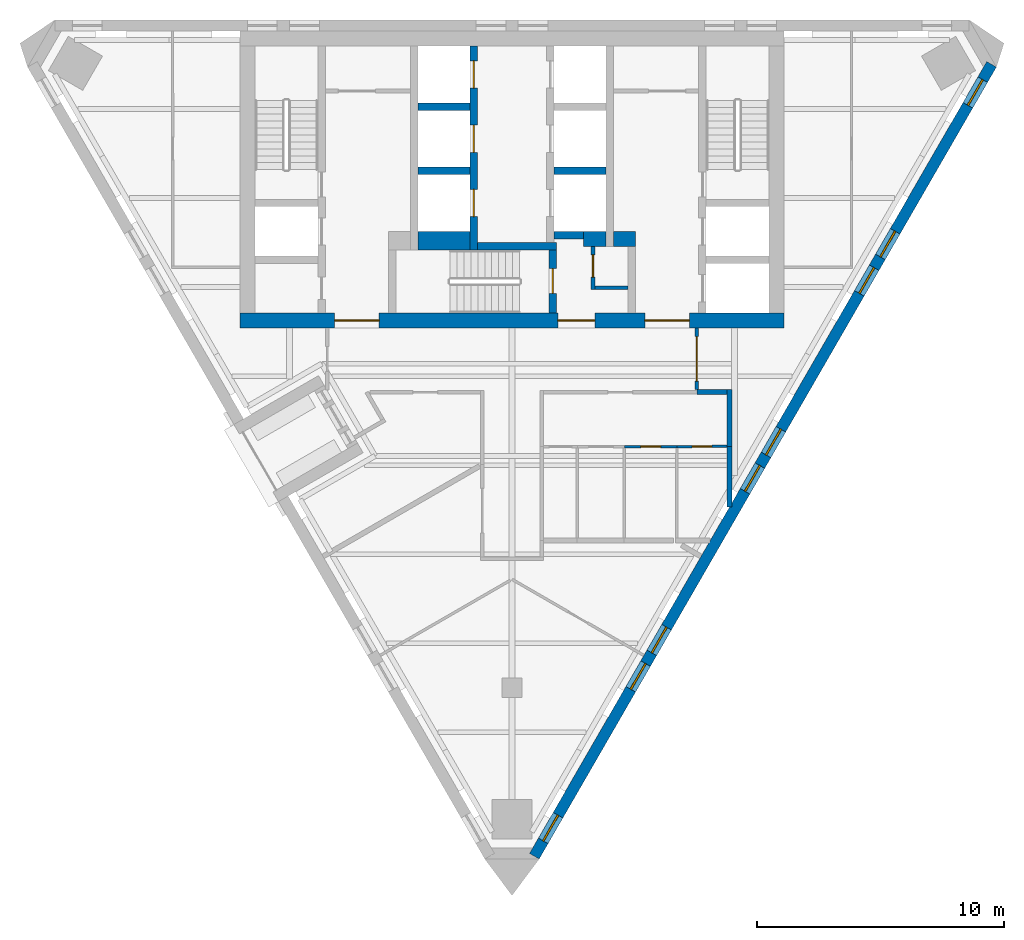
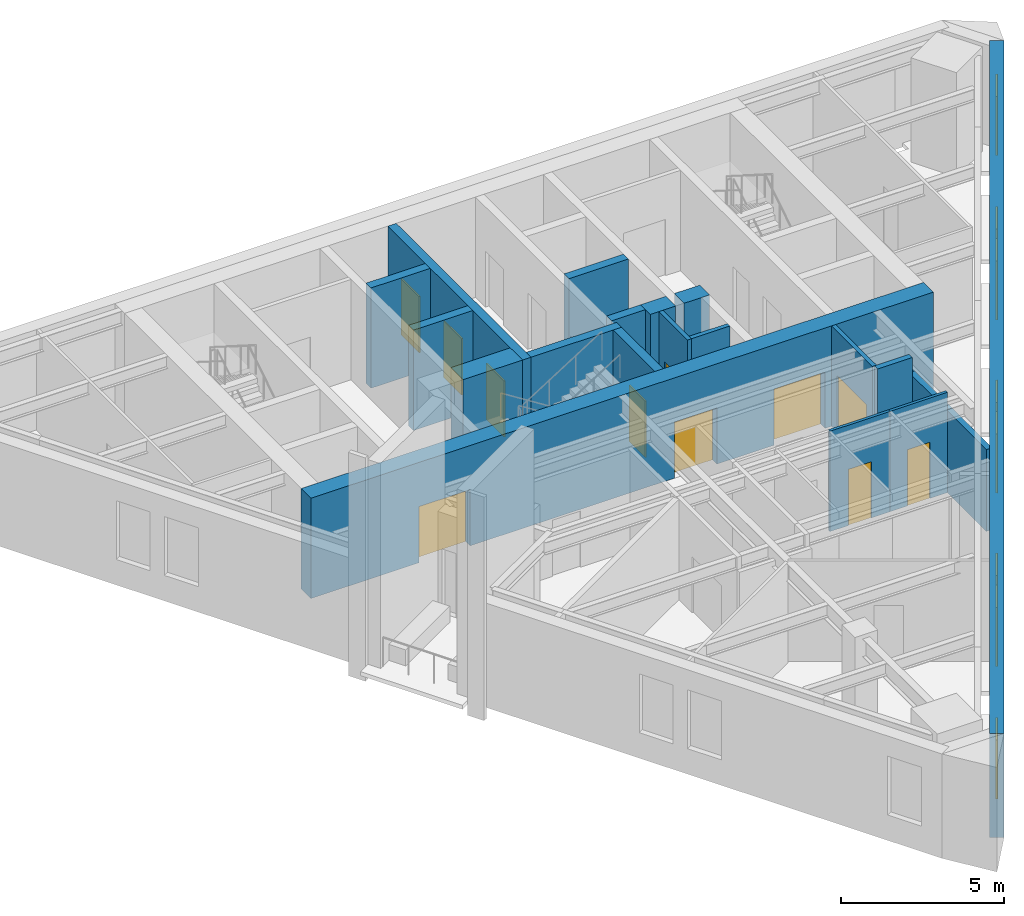
# One storey, part 4 of 7: 20 walls, 11 doors, 8 windows, 19 openings.
"""IFC4 building model written with IfcOpenShell, lengths in metres."""

from ifc_helpers import new_model, si_unit, direction, frame, frame_2d, origin, place, context, subcontext, project, spatial, polyline, rectangle, outline, extrude, material, layer, layer_set, type_object, element, fill, save


model = new_model("IFC4")

# Units and contexts
model_context = context("Model", 3, precision=1e-05, world=origin(), true_north=direction((0.0, 1.0)))
body_context = subcontext(model_context, "Body", "Model", "MODEL_VIEW")
ifc_project = project(units=[si_unit("LENGTHUNIT", "METRE"), si_unit("AREAUNIT", "SQUARE_METRE"), si_unit("VOLUMEUNIT", "CUBIC_METRE"), si_unit("PLANEANGLEUNIT", "RADIAN"), si_unit("MASSUNIT", "GRAM", prefix="KILO")], contexts=[model_context])

# Site, building, storey
site_placement = place(None, origin())
site = spatial("IfcSite", under=ifc_project, at=site_placement, CompositionType="ELEMENT")
building_placement = place(site_placement, origin())
building = spatial("IfcBuilding", under=site, at=building_placement, Name="Aloe Facet Convention Tower", CompositionType="ELEMENT")
storey_placement = place(building_placement, frame((0.0, 0.0, 258.199951171875)))
storey = spatial("IfcBuildingStorey", under=building, at=storey_placement, Name="L63", CompositionType="ELEMENT", Elevation=258.199951171875)

# Wall, opening, door
ifc_material_1 = material(Name="Concrete blockwork partition", Category="masonry")
ifc_layer_1 = layer(ifc_material_1, 0.14990234375)
ifc_layer_set_1 = layer_set([ifc_layer_1], Name="CR-W-PART150")
wall_type_1 = type_object("IfcWallType", Name="CR-W-PART150", PredefinedType="PARTITIONING", material=ifc_layer_set_1)
wall_1_placement = place(storey_placement, frame((83.27490234375, 125.85009765625, 0.0), z_axis=(0.0, 0.0, 1.0), x_axis=(0.0, -1.0, 0.0)))
wall_1 = element("IfcWall", 1, at=wall_1_placement, inside=storey, type_object=wall_type_1, Name="Core partition L63-022", PredefinedType="PARTITIONING", context=body_context, shape_type="SweptSolid", body=[
    extrude(rectangle(XDim=1.75, YDim=0.14990234375, at=frame_2d((0.875, 0.0))), origin(), (0.0, 0.0, 1.0), 3.75),
])
opening_1_placement = place(wall_1_placement, frame((0.35009765625, 0.0, 0.0)))
opening_1 = element("IfcOpeningElement", 2, at=opening_1_placement, cuts=wall_1, Name="Opening L63-CD12", PredefinedType="OPENING", context=body_context, shape_type="SweptSolid", body=[
    extrude(rectangle(XDim=0.89990234375, YDim=2.10009765625, at=frame_2d((0.449951171875, 1.050048828125))), frame((0.0, 0.0849609375, 0.0), z_axis=(0.0, -1.0, 0.0), x_axis=(1.0, 0.0, 0.0)), (0.0, 0.0, 1.0), 0.169921875),
])
ifc_material_2 = material(Name="Steel fire-resisting door set FD60", Category="steel")
door_type_1 = type_object("IfcDoorType", Name="CR-D-REFUGE-900-FD60-SRIGHT", OperationType="SINGLE_SWING_RIGHT", PredefinedType="DOOR", material=ifc_material_2)
door_1_placement = place(opening_1_placement, origin())
door_1 = element("IfcDoor", 3, at=door_1_placement, inside=storey, type_object=door_type_1, Name="Core door L63-CD12", OperationType="SINGLE_SWING_RIGHT", OverallHeight=2.10009765625, OverallWidth=0.89990234375, PredefinedType="DOOR", context=body_context, shape_type="SweptSolid", body=[
    extrude(rectangle(XDim=0.89990234375, YDim=2.10009765625, at=frame_2d((0.449951171875, 1.050048828125))), frame((0.0, 0.02490234375, 0.0), z_axis=(0.0, -1.0, 0.0), x_axis=(1.0, 0.0, 0.0)), (0.0, 0.0, 1.0), 0.050048828125),
])
fill(opening_1, door_1)

# Walls
wall_2_placement = place(storey_placement, frame((83.35009765625, 124.175048828125, 0.0), z_axis=(0.0, 0.0, 1.0), x_axis=(1.0, 0.0, 0.0)))
element("IfcWall", 4, at=wall_2_placement, inside=storey, type_object=wall_type_1, Name="Core partition L63-023", PredefinedType="PARTITIONING", context=body_context, shape_type="SweptSolid", body=[
    extrude(rectangle(XDim=1.349853515625, YDim=0.14990234375, at=frame_2d((0.6748046875, 0.0))), origin(), (0.0, 0.0, 1.0), 3.75),
])
ifc_material_3 = material(Name="Concrete C50/60", Category="concrete")
ifc_layer_2 = layer(ifc_material_3, 0.300048828125)
ifc_layer_set_2 = layer_set([ifc_layer_2], Name="CR-W-RC300-C5060")
wall_type_2 = type_object("IfcWallType", Name="CR-W-RC300-C5060", PredefinedType="SOLIDWALL", material=ifc_layer_set_2)
for number, where, z_axis, x_axis, name in (
    (5, (76.199951171875, 131.5, 0.0), (0.0, 0.0, 1.0), (1.0, 0.0, 0.0), "Core wall L63-011"),
    (6, (76.199951171875, 128.89990234375, 0.0), (0.0, 0.0, 1.0), (1.0, 0.0, 0.0), "Core wall L63-012"),
):
    element("IfcWall", number, at=place(storey_placement, frame(where, z_axis=z_axis, x_axis=x_axis)), inside=storey, type_object=wall_type_2, Name=name, PredefinedType="SOLIDWALL", context=body_context, shape_type="SweptSolid", body=[
        extrude(rectangle(XDim=2.10009765625, YDim=0.300048828125, at=frame_2d((1.050048828125, 0.0))), origin(), (0.0, 0.0, 1.0), 3.75),
    ])

# Wall, openings, doors
wall_3_placement = place(storey_placement, frame((78.449951171875, 133.949951171875, 0.0), z_axis=(0.0, 0.0, 1.0), x_axis=(0.0, -1.0, 0.0)))
wall_3 = element("IfcWall", 7, at=wall_3_placement, inside=storey, type_object=wall_type_2, Name="Core wall L63-014", PredefinedType="SOLIDWALL", context=body_context, shape_type="SweptSolid", body=[
    extrude(rectangle(XDim=8.25, YDim=0.300048828125, at=frame_2d((4.125, 0.0))), origin(), (0.0, 0.0, 1.0), 3.75),
])
opening_2_placement = place(wall_3_placement, frame((0.60009765625, 0.0, 0.0)))
opening_2 = element("IfcOpeningElement", 8, at=opening_2_placement, cuts=wall_3, Name="Opening LD-B1-L63", PredefinedType="OPENING", context=body_context, shape_type="SweptSolid", body=[
    extrude(rectangle(XDim=1.10009765625, YDim=2.10009765625, at=frame_2d((0.550048828125, 1.050048828125))), frame((0.0, 0.16015625, 0.0), z_axis=(0.0, -1.0, 0.0), x_axis=(1.0, 0.0, 0.0)), (0.0, 0.0, 1.0), 0.320068359375),
])
opening_3_placement = place(wall_3_placement, frame((3.199951171875, 0.0, 0.0)))
opening_3 = element("IfcOpeningElement", 9, at=opening_3_placement, cuts=wall_3, Name="Opening LD-B2-L63", PredefinedType="OPENING", context=body_context, shape_type="SweptSolid", body=[
    extrude(rectangle(XDim=1.10009765625, YDim=2.10009765625, at=frame_2d((0.550048828125, 1.050048828125))), frame((0.0, 0.16015625, 0.0), z_axis=(0.0, -1.0, 0.0), x_axis=(1.0, 0.0, 0.0)), (0.0, 0.0, 1.0), 0.320068359375),
])
opening_4_placement = place(wall_3_placement, frame((5.800048828125, 0.0, 0.0)))
opening_4 = element("IfcOpeningElement", 10, at=opening_4_placement, cuts=wall_3, Name="Opening LD-B3-L63", PredefinedType="OPENING", context=body_context, shape_type="SweptSolid", body=[
    extrude(rectangle(XDim=1.10009765625, YDim=2.10009765625, at=frame_2d((0.550048828125, 1.050048828125))), frame((0.0, 0.16015625, 0.0), z_axis=(0.0, -1.0, 0.0), x_axis=(1.0, 0.0, 0.0)), (0.0, 0.0, 1.0), 0.320068359375),
])
ifc_material_4 = material(Name="Stainless steel sliding landing door", Category="steel")
door_type_2 = type_object("IfcDoorType", Name="CR-LD-1100-FD60-RIGHT", OperationType="SLIDING_TO_RIGHT", PredefinedType="DOOR", material=ifc_material_4)
door_2_placement = place(opening_2_placement, origin())
door_2 = element("IfcDoor", 11, at=door_2_placement, inside=storey, type_object=door_type_2, Name="Landing door B1 L63", OperationType="SLIDING_TO_RIGHT", OverallHeight=2.10009765625, OverallWidth=1.10009765625, PredefinedType="DOOR", context=body_context, shape_type="SweptSolid", body=[
    extrude(rectangle(XDim=1.10009765625, YDim=2.10009765625, at=frame_2d((0.550048828125, 1.050048828125))), frame((0.0, 0.02490234375, 0.0), z_axis=(0.0, -1.0, 0.0), x_axis=(1.0, 0.0, 0.0)), (0.0, 0.0, 1.0), 0.050048828125),
])
fill(opening_2, door_2)
door_3_placement = place(opening_3_placement, origin())
door_3 = element("IfcDoor", 12, at=door_3_placement, inside=storey, type_object=door_type_2, Name="Landing door B2 L63", OperationType="SLIDING_TO_RIGHT", OverallHeight=2.10009765625, OverallWidth=1.10009765625, PredefinedType="DOOR", context=body_context, shape_type="SweptSolid", body=[
    extrude(rectangle(XDim=1.10009765625, YDim=2.10009765625, at=frame_2d((0.550048828125, 1.050048828125))), frame((0.0, 0.02490234375, 0.0), z_axis=(0.0, -1.0, 0.0), x_axis=(1.0, 0.0, 0.0)), (0.0, 0.0, 1.0), 0.050048828125),
])
fill(opening_3, door_3)
door_4_placement = place(opening_4_placement, origin())
door_4 = element("IfcDoor", 13, at=door_4_placement, inside=storey, type_object=door_type_2, Name="Landing door B3 L63", OperationType="SLIDING_TO_RIGHT", OverallHeight=2.10009765625, OverallWidth=1.10009765625, PredefinedType="DOOR", context=body_context, shape_type="SweptSolid", body=[
    extrude(rectangle(XDim=1.10009765625, YDim=2.10009765625, at=frame_2d((0.550048828125, 1.050048828125))), frame((0.0, 0.02490234375, 0.0), z_axis=(0.0, -1.0, 0.0), x_axis=(1.0, 0.0, 0.0)), (0.0, 0.0, 1.0), 0.050048828125),
])
fill(opening_4, door_4)

# Wall
wall_4_placement = place(storey_placement, frame((78.60009765625, 125.85009765625, 0.0), z_axis=(0.0, 0.0, 1.0), x_axis=(1.0, 0.0, 0.0)))
element("IfcWall", 14, at=wall_4_placement, inside=storey, type_object=wall_type_2, Name="Core wall L63-015", PredefinedType="SOLIDWALL", context=body_context, shape_type="SweptSolid", body=[
    extrude(rectangle(XDim=3.199951171875, YDim=0.300048828125, at=frame_2d((1.60009765625, 0.0))), origin(), (0.0, 0.0, 1.0), 3.75),
])

# Wall, opening, door
wall_5_placement = place(storey_placement, frame((81.64990234375, 125.699951171875, 0.0), z_axis=(0.0, 0.0, 1.0), x_axis=(0.0, -1.0, 0.0)))
wall_5 = element("IfcWall", 15, at=wall_5_placement, inside=storey, type_object=wall_type_2, Name="Core wall L63-017", PredefinedType="SOLIDWALL", context=body_context, shape_type="SweptSolid", body=[
    extrude(rectangle(XDim=2.550048828125, YDim=0.300048828125, at=frame_2d((1.27490234375, 0.0))), origin(), (0.0, 0.0, 1.0), 3.75),
])
opening_5_placement = place(wall_5_placement, frame((0.75, 0.0, 0.0)))
opening_5 = element("IfcOpeningElement", 16, at=opening_5_placement, cuts=wall_5, Name="Opening L63-CD18", PredefinedType="OPENING", context=body_context, shape_type="SweptSolid", body=[
    extrude(rectangle(XDim=1.0, YDim=2.10009765625, at=frame_2d((0.5, 1.050048828125))), frame((0.0, 0.16015625, 0.0), z_axis=(0.0, -1.0, 0.0), x_axis=(1.0, 0.0, 0.0)), (0.0, 0.0, 1.0), 0.320068359375),
])
ifc_material_5 = material(Name="Steel fire-resisting door set FD120", Category="steel")
door_type_3 = type_object("IfcDoorType", Name="CR-D-STAIR-1000-FD120-SLEFT", OperationType="SINGLE_SWING_LEFT", PredefinedType="DOOR", material=ifc_material_5)
door_5_placement = place(opening_5_placement, origin())
door_5 = element("IfcDoor", 17, at=door_5_placement, inside=storey, type_object=door_type_3, Name="Core door L63-CD18", OperationType="SINGLE_SWING_LEFT", OverallHeight=2.10009765625, OverallWidth=1.0, PredefinedType="DOOR", context=body_context, shape_type="SweptSolid", body=[
    extrude(rectangle(XDim=1.0, YDim=2.10009765625, at=frame_2d((0.5, 1.050048828125))), frame((0.0, 0.02490234375, 0.0), z_axis=(0.0, -1.0, 0.0), x_axis=(1.0, 0.0, 0.0)), (0.0, 0.0, 1.0), 0.050048828125),
])
fill(opening_5, door_5)

# Walls
wall_6_placement = place(storey_placement, frame((81.699951171875, 128.89990234375, 0.0), z_axis=(0.0, 0.0, 1.0), x_axis=(1.0, 0.0, 0.0)))
element("IfcWall", 18, at=wall_6_placement, inside=storey, type_object=wall_type_2, Name="Core wall L63-019", PredefinedType="SOLIDWALL", context=body_context, shape_type="SweptSolid", body=[
    extrude(rectangle(XDim=2.10009765625, YDim=0.300048828125, at=frame_2d((1.050048828125, 0.0))), origin(), (0.0, 0.0, 1.0), 3.75),
])
wall_7_placement = place(storey_placement, frame((81.699951171875, 126.300048828125, 0.0), z_axis=(0.0, 0.0, 1.0), x_axis=(1.0, 0.0, 0.0)))
element("IfcWall", 19, at=wall_7_placement, inside=storey, type_object=wall_type_2, Name="Core wall L63-020", PredefinedType="SOLIDWALL", context=body_context, shape_type="SweptSolid", body=[
    extrude(rectangle(XDim=1.199951171875, YDim=0.300048828125, at=frame_2d((0.60009765625, 0.0))), origin(), (0.0, 0.0, 1.0), 3.75),
])

# Wall, openings, doors
ifc_material_6 = material(Name="Concrete C50/60", Category="concrete")
ifc_layer_3 = layer(ifc_material_6, 0.60009765625)
ifc_layer_set_3 = layer_set([ifc_layer_3], Name="CR-W-RC600-C5060")
wall_type_3 = type_object("IfcWallType", Name="CR-W-RC600-C5060", PredefinedType="SOLIDWALL", material=ifc_layer_set_3)
wall_8_placement = place(storey_placement, frame((69.0, 122.85009765625, 0.0), z_axis=(0.0, 0.0, 1.0), x_axis=(1.0, 0.0, 0.0)))
wall_8 = element("IfcWall", 20, at=wall_8_placement, inside=storey, type_object=wall_type_3, Name="Core wall L63-003", PredefinedType="SOLIDWALL", context=body_context, shape_type="SweptSolid", body=[
    extrude(rectangle(XDim=22.0, YDim=0.60009765625, at=frame_2d((11.0, 0.0))), origin(), (0.0, 0.0, 1.0), 3.75),
])
opening_6_placement = place(wall_8_placement, frame((16.375, 0.0, 0.0)))
opening_6 = element("IfcOpeningElement", 21, at=opening_6_placement, cuts=wall_8, Name="Opening L63-CD09", PredefinedType="OPENING", context=body_context, shape_type="SweptSolid", body=[
    extrude(rectangle(XDim=1.800048828125, YDim=2.10009765625, at=frame_2d((0.89990234375, 1.050048828125))), frame((0.0, 0.31005859375, 0.0), z_axis=(0.0, -1.0, 0.0), x_axis=(1.0, 0.0, 0.0)), (0.0, 0.0, 1.0), 0.6201171875),
])
opening_7_placement = place(wall_8_placement, frame((3.824951171875, 0.0, 0.0)))
opening_7 = element("IfcOpeningElement", 22, at=opening_7_placement, cuts=wall_8, Name="Opening L63-CD10", PredefinedType="OPENING", context=body_context, shape_type="SweptSolid", body=[
    extrude(rectangle(XDim=1.800048828125, YDim=2.10009765625, at=frame_2d((0.89990234375, 1.050048828125))), frame((0.0, 0.31005859375, 0.0), z_axis=(0.0, -1.0, 0.0), x_axis=(1.0, 0.0, 0.0)), (0.0, 0.0, 1.0), 0.6201171875),
])
opening_8_placement = place(wall_8_placement, frame((12.85009765625, 0.0, 0.0)))
opening_8 = element("IfcOpeningElement", 23, at=opening_8_placement, cuts=wall_8, Name="Opening L63-CD11", PredefinedType="OPENING", context=body_context, shape_type="SweptSolid", body=[
    extrude(rectangle(XDim=1.5, YDim=2.10009765625, at=frame_2d((0.75, 1.050048828125))), frame((0.0, 0.31005859375, 0.0), z_axis=(0.0, -1.0, 0.0), x_axis=(1.0, 0.0, 0.0)), (0.0, 0.0, 1.0), 0.6201171875),
])
ifc_material_7 = material(Name="Steel fire-resisting door set FD60", Category="steel")
door_type_4 = type_object("IfcDoorType", Name="CR-D-EXIT-1500-FD60-DD", OperationType="DOUBLE_DOOR_DOUBLE_SWING", PredefinedType="DOOR", material=ifc_material_7)
door_6_placement = place(opening_8_placement, origin())
door_6 = element("IfcDoor", 24, at=door_6_placement, inside=storey, type_object=door_type_4, Name="Core door L63-CD11", OperationType="DOUBLE_DOOR_DOUBLE_SWING", OverallHeight=2.10009765625, OverallWidth=1.5, PredefinedType="DOOR", context=body_context, shape_type="SweptSolid", body=[
    extrude(rectangle(XDim=1.5, YDim=2.10009765625, at=frame_2d((0.75, 1.050048828125))), frame((0.0, 0.02490234375, 0.0), z_axis=(0.0, -1.0, 0.0), x_axis=(1.0, 0.0, 0.0)), (0.0, 0.0, 1.0), 0.050048828125),
])
fill(opening_8, door_6)
ifc_material_8 = material(Name="Steel fire-resisting door set FD120", Category="steel")
door_type_5 = type_object("IfcDoorType", Name="CR-D-EXIT-1800-FD120-DD", OperationType="DOUBLE_DOOR_DOUBLE_SWING", PredefinedType="DOOR", material=ifc_material_8)
door_7_placement = place(opening_6_placement, origin())
door_7 = element("IfcDoor", 25, at=door_7_placement, inside=storey, type_object=door_type_5, Name="Core door L63-CD09", OperationType="DOUBLE_DOOR_DOUBLE_SWING", OverallHeight=2.10009765625, OverallWidth=1.800048828125, PredefinedType="DOOR", context=body_context, shape_type="SweptSolid", body=[
    extrude(rectangle(XDim=1.800048828125, YDim=2.10009765625, at=frame_2d((0.89990234375, 1.050048828125))), frame((0.0, 0.02490234375, 0.0), z_axis=(0.0, -1.0, 0.0), x_axis=(1.0, 0.0, 0.0)), (0.0, 0.0, 1.0), 0.050048828125),
])
fill(opening_6, door_7)
door_8_placement = place(opening_7_placement, origin())
door_8 = element("IfcDoor", 26, at=door_8_placement, inside=storey, type_object=door_type_5, Name="Core door L63-CD10", OperationType="DOUBLE_DOOR_DOUBLE_SWING", OverallHeight=2.10009765625, OverallWidth=1.800048828125, PredefinedType="DOOR", context=body_context, shape_type="SweptSolid", body=[
    extrude(rectangle(XDim=1.800048828125, YDim=2.10009765625, at=frame_2d((0.89990234375, 1.050048828125))), frame((0.0, 0.02490234375, 0.0), z_axis=(0.0, -1.0, 0.0), x_axis=(1.0, 0.0, 0.0)), (0.0, 0.0, 1.0), 0.050048828125),
])
fill(opening_7, door_8)

# Walls
wall_9_placement = place(storey_placement, frame((82.89990234375, 126.14990234375, 0.0), z_axis=(0.0, 0.0, 1.0), x_axis=(1.0, 0.0, 0.0)))
element("IfcWall", 27, at=wall_9_placement, inside=storey, type_object=wall_type_3, Name="Core wall L63-021", PredefinedType="SOLIDWALL", context=body_context, shape_type="SweptSolid", body=[
    extrude(rectangle(XDim=0.900146484375, YDim=0.60009765625, at=frame_2d((0.4501953125, 0.0))), origin(), (0.0, 0.0, 1.0), 3.75),
])
wall_10_placement = place(storey_placement, frame((84.10009765625, 126.14990234375, 0.0), z_axis=(0.0, 0.0, 1.0), x_axis=(1.0, 0.0, 0.0)))
element("IfcWall", 28, at=wall_10_placement, inside=storey, type_object=wall_type_3, Name="Core wall L63-026", PredefinedType="SOLIDWALL", context=body_context, shape_type="SweptSolid", body=[
    extrude(rectangle(XDim=0.89990234375, YDim=0.60009765625, at=frame_2d((0.449951171875, 0.0))), origin(), (0.0, 0.0, 1.0), 3.75),
])
ifc_material_9 = material(Name="Concrete C50/60", Category="concrete")
ifc_layer_4 = layer(ifc_material_9, 0.75)
ifc_layer_set_4 = layer_set([ifc_layer_4], Name="CR-W-RC750-C5060")
wall_type_4 = type_object("IfcWallType", Name="CR-W-RC750-C5060", PredefinedType="SOLIDWALL", material=ifc_layer_set_4)
wall_11_placement = place(storey_placement, frame((76.199951171875, 126.074951171875, 0.0), z_axis=(0.0, 0.0, 1.0), x_axis=(1.0, 0.0, 0.0)))
element("IfcWall", 29, at=wall_11_placement, inside=storey, type_object=wall_type_4, Name="Core wall L63-013", PredefinedType="SOLIDWALL", context=body_context, shape_type="SweptSolid", body=[
    extrude(rectangle(XDim=2.10009765625, YDim=0.75, at=frame_2d((1.050048828125, 0.0))), origin(), (0.0, 0.0, 1.0), 3.75),
])

# Wall, openings, windows
ifc_material_10 = material(Name="Precast concrete C40/50", Category="concrete")
ifc_layer_5 = layer(ifc_material_10, 0.449951171875)
ifc_layer_set_5 = layer_set([ifc_layer_5], Name="EV-WALL-STONE")
wall_type_5 = type_object("IfcWallType", Name="EV-WALL-STONE", PredefinedType="SOLIDWALL", material=ifc_layer_set_5)
wall_12_placement = place(storey_placement, frame((80.905029296875, 101.188232421875, -0.14990234375), z_axis=(0.0, 0.0, 1.0), x_axis=(0.500002536638, 0.866023939251, 0.0)))
wall_12 = element("IfcWall", 30, at=wall_12_placement, inside=storey, type_object=wall_type_5, Name="EW-L63-E01", PredefinedType="SOLIDWALL", context=body_context, shape_type="SweptSolid", body=[
    extrude(outline(polyline([(36.972412109375, 0.0), (36.972412109375, 3.89990234375), (0.0, 3.89990234375), (0.0, 0.0), (36.972412109375, 0.0)])), frame((0.0, 0.22509765625, 0.0), z_axis=(0.0, -1.0, 0.0), x_axis=(1.0, 0.0, 0.0)), (0.0, 0.0, 1.0), 0.449951171875),
])
opening_9_placement = place(wall_12_placement, frame((0.714599609375, 0.0, 0.949951171875)))
opening_9 = element("IfcOpeningElement", 31, at=opening_9_placement, cuts=wall_12, Name="Opening W-L63-E01", PredefinedType="OPENING", context=body_context, shape_type="SweptSolid", body=[
    extrude(rectangle(XDim=1.199951171875, YDim=2.199951171875, at=frame_2d((0.60009765625, 1.10009765625))), frame((0.0, 0.23486328125, 0.0), z_axis=(0.0, -1.0, 0.0), x_axis=(1.0, 0.0, 0.0)), (0.0, 0.0, 1.0), 0.469970703125),
])
opening_10_placement = place(wall_12_placement, frame((7.79296875, 0.0, 0.949951171875)))
opening_10 = element("IfcOpeningElement", 32, at=opening_10_placement, cuts=wall_12, Name="Opening W-L63-E02", PredefinedType="OPENING", context=body_context, shape_type="SweptSolid", body=[
    extrude(rectangle(XDim=1.199951171875, YDim=2.199951171875, at=frame_2d((0.60009765625, 1.10009765625))), frame((0.0, 0.23486328125, 0.0), z_axis=(0.0, -1.0, 0.0), x_axis=(1.0, 0.0, 0.0)), (0.0, 0.0, 1.0), 0.469970703125),
])
opening_11_placement = place(wall_12_placement, frame((9.4931640625, 0.0, 0.949951171875)))
opening_11 = element("IfcOpeningElement", 33, at=opening_11_placement, cuts=wall_12, Name="Opening W-L63-E03", PredefinedType="OPENING", context=body_context, shape_type="SweptSolid", body=[
    extrude(rectangle(XDim=1.199951171875, YDim=2.199951171875, at=frame_2d((0.60009765625, 1.10009765625))), frame((0.0, 0.23486328125, 0.0), z_axis=(0.0, -1.0, 0.0), x_axis=(1.0, 0.0, 0.0)), (0.0, 0.0, 1.0), 0.469970703125),
])
opening_12_placement = place(wall_12_placement, frame((17.0361328125, 0.0, 0.949951171875)))
opening_12 = element("IfcOpeningElement", 34, at=opening_12_placement, cuts=wall_12, Name="Opening W-L63-E04", PredefinedType="OPENING", context=body_context, shape_type="SweptSolid", body=[
    extrude(rectangle(XDim=1.199951171875, YDim=2.199951171875, at=frame_2d((0.60009765625, 1.10009765625))), frame((0.0, 0.23486328125, 0.0), z_axis=(0.0, -1.0, 0.0), x_axis=(1.0, 0.0, 0.0)), (0.0, 0.0, 1.0), 0.469970703125),
])
opening_13_placement = place(wall_12_placement, frame((18.736083984375, 0.0, 0.949951171875)))
opening_13 = element("IfcOpeningElement", 35, at=opening_13_placement, cuts=wall_12, Name="Opening W-L63-E05", PredefinedType="OPENING", context=body_context, shape_type="SweptSolid", body=[
    extrude(rectangle(XDim=1.199951171875, YDim=2.199951171875, at=frame_2d((0.60009765625, 1.10009765625))), frame((0.0, 0.23486328125, 0.0), z_axis=(0.0, -1.0, 0.0), x_axis=(1.0, 0.0, 0.0)), (0.0, 0.0, 1.0), 0.469970703125),
])
opening_14_placement = place(wall_12_placement, frame((26.279296875, 0.0, 0.949951171875)))
opening_14 = element("IfcOpeningElement", 36, at=opening_14_placement, cuts=wall_12, Name="Opening W-L63-E06", PredefinedType="OPENING", context=body_context, shape_type="SweptSolid", body=[
    extrude(rectangle(XDim=1.199951171875, YDim=2.199951171875, at=frame_2d((0.60009765625, 1.10009765625))), frame((0.0, 0.23486328125, 0.0), z_axis=(0.0, -1.0, 0.0), x_axis=(1.0, 0.0, 0.0)), (0.0, 0.0, 1.0), 0.469970703125),
])
opening_15_placement = place(wall_12_placement, frame((27.979248046875, 0.0, 0.949951171875)))
opening_15 = element("IfcOpeningElement", 37, at=opening_15_placement, cuts=wall_12, Name="Opening W-L63-E07", PredefinedType="OPENING", context=body_context, shape_type="SweptSolid", body=[
    extrude(rectangle(XDim=1.199951171875, YDim=2.199951171875, at=frame_2d((0.60009765625, 1.10009765625))), frame((0.0, 0.23486328125, 0.0), z_axis=(0.0, -1.0, 0.0), x_axis=(1.0, 0.0, 0.0)), (0.0, 0.0, 1.0), 0.469970703125),
])
opening_16_placement = place(wall_12_placement, frame((35.0576171875, 0.0, 0.949951171875)))
opening_16 = element("IfcOpeningElement", 38, at=opening_16_placement, cuts=wall_12, Name="Opening W-L63-E08", PredefinedType="OPENING", context=body_context, shape_type="SweptSolid", body=[
    extrude(rectangle(XDim=1.199951171875, YDim=2.199951171875, at=frame_2d((0.60009765625, 1.10009765625))), frame((0.0, 0.23486328125, 0.0), z_axis=(0.0, -1.0, 0.0), x_axis=(1.0, 0.0, 0.0)), (0.0, 0.0, 1.0), 0.469970703125),
])
ifc_material_11 = material(Name="Aluminium frame, clear double glazing", Category="aluminium")
window_type = type_object("IfcWindowType", Name="EV-WIN-O12", PartitioningType="SINGLE_PANEL", PredefinedType="WINDOW", material=ifc_material_11)
window_1_placement = place(opening_9_placement, origin())
window_1 = element("IfcWindow", 39, at=window_1_placement, inside=storey, type_object=window_type, Name="W-L63-E01", OverallHeight=2.199951171875, OverallWidth=1.199951171875, PartitioningType="SINGLE_PANEL", PredefinedType="WINDOW", context=body_context, shape_type="SweptSolid", body=[
    extrude(rectangle(XDim=1.199951171875, YDim=2.199951171875, at=frame_2d((0.60009765625, 1.10009765625))), frame((0.0, 0.030029296875, 0.0), z_axis=(0.0, -1.0, 0.0), x_axis=(1.0, 0.0, 0.0)), (0.0, 0.0, 1.0), 0.06005859375),
])
fill(opening_9, window_1)
window_2_placement = place(opening_10_placement, origin())
window_2 = element("IfcWindow", 40, at=window_2_placement, inside=storey, type_object=window_type, Name="W-L63-E02", OverallHeight=2.199951171875, OverallWidth=1.199951171875, PartitioningType="SINGLE_PANEL", PredefinedType="WINDOW", context=body_context, shape_type="SweptSolid", body=[
    extrude(rectangle(XDim=1.199951171875, YDim=2.199951171875, at=frame_2d((0.60009765625, 1.10009765625))), frame((0.0, 0.030029296875, 0.0), z_axis=(0.0, -1.0, 0.0), x_axis=(1.0, 0.0, 0.0)), (0.0, 0.0, 1.0), 0.06005859375),
])
fill(opening_10, window_2)
window_3_placement = place(opening_11_placement, origin())
window_3 = element("IfcWindow", 41, at=window_3_placement, inside=storey, type_object=window_type, Name="W-L63-E03", OverallHeight=2.199951171875, OverallWidth=1.199951171875, PartitioningType="SINGLE_PANEL", PredefinedType="WINDOW", context=body_context, shape_type="SweptSolid", body=[
    extrude(rectangle(XDim=1.199951171875, YDim=2.199951171875, at=frame_2d((0.60009765625, 1.10009765625))), frame((0.0, 0.030029296875, 0.0), z_axis=(0.0, -1.0, 0.0), x_axis=(1.0, 0.0, 0.0)), (0.0, 0.0, 1.0), 0.06005859375),
])
fill(opening_11, window_3)
window_4_placement = place(opening_12_placement, origin())
window_4 = element("IfcWindow", 42, at=window_4_placement, inside=storey, type_object=window_type, Name="W-L63-E04", OverallHeight=2.199951171875, OverallWidth=1.199951171875, PartitioningType="SINGLE_PANEL", PredefinedType="WINDOW", context=body_context, shape_type="SweptSolid", body=[
    extrude(rectangle(XDim=1.199951171875, YDim=2.199951171875, at=frame_2d((0.60009765625, 1.10009765625))), frame((0.0, 0.030029296875, 0.0), z_axis=(0.0, -1.0, 0.0), x_axis=(1.0, 0.0, 0.0)), (0.0, 0.0, 1.0), 0.06005859375),
])
fill(opening_12, window_4)
window_5_placement = place(opening_13_placement, origin())
window_5 = element("IfcWindow", 43, at=window_5_placement, inside=storey, type_object=window_type, Name="W-L63-E05", OverallHeight=2.199951171875, OverallWidth=1.199951171875, PartitioningType="SINGLE_PANEL", PredefinedType="WINDOW", context=body_context, shape_type="SweptSolid", body=[
    extrude(rectangle(XDim=1.199951171875, YDim=2.199951171875, at=frame_2d((0.60009765625, 1.10009765625))), frame((0.0, 0.030029296875, 0.0), z_axis=(0.0, -1.0, 0.0), x_axis=(1.0, 0.0, 0.0)), (0.0, 0.0, 1.0), 0.06005859375),
])
fill(opening_13, window_5)
window_6_placement = place(opening_14_placement, origin())
window_6 = element("IfcWindow", 44, at=window_6_placement, inside=storey, type_object=window_type, Name="W-L63-E06", OverallHeight=2.199951171875, OverallWidth=1.199951171875, PartitioningType="SINGLE_PANEL", PredefinedType="WINDOW", context=body_context, shape_type="SweptSolid", body=[
    extrude(rectangle(XDim=1.199951171875, YDim=2.199951171875, at=frame_2d((0.60009765625, 1.10009765625))), frame((0.0, 0.030029296875, 0.0), z_axis=(0.0, -1.0, 0.0), x_axis=(1.0, 0.0, 0.0)), (0.0, 0.0, 1.0), 0.06005859375),
])
fill(opening_14, window_6)
window_7_placement = place(opening_15_placement, origin())
window_7 = element("IfcWindow", 45, at=window_7_placement, inside=storey, type_object=window_type, Name="W-L63-E07", OverallHeight=2.199951171875, OverallWidth=1.199951171875, PartitioningType="SINGLE_PANEL", PredefinedType="WINDOW", context=body_context, shape_type="SweptSolid", body=[
    extrude(rectangle(XDim=1.199951171875, YDim=2.199951171875, at=frame_2d((0.60009765625, 1.10009765625))), frame((0.0, 0.030029296875, 0.0), z_axis=(0.0, -1.0, 0.0), x_axis=(1.0, 0.0, 0.0)), (0.0, 0.0, 1.0), 0.06005859375),
])
fill(opening_15, window_7)
window_8_placement = place(opening_16_placement, origin())
window_8 = element("IfcWindow", 46, at=window_8_placement, inside=storey, type_object=window_type, Name="W-L63-E08", OverallHeight=2.199951171875, OverallWidth=1.199951171875, PartitioningType="SINGLE_PANEL", PredefinedType="WINDOW", context=body_context, shape_type="SweptSolid", body=[
    extrude(rectangle(XDim=1.199951171875, YDim=2.199951171875, at=frame_2d((0.60009765625, 1.10009765625))), frame((0.0, 0.030029296875, 0.0), z_axis=(0.0, -1.0, 0.0), x_axis=(1.0, 0.0, 0.0)), (0.0, 0.0, 1.0), 0.06005859375),
])
fill(opening_16, window_8)

# Wall, opening, door
ifc_material_12 = material(Name="Gypsum board partition on steel studs", Category="steel")
ifc_layer_6 = layer(ifc_material_12, 0.14990234375)
ifc_layer_set_6 = layer_set([ifc_layer_6], Name="IN-W-CORR")
wall_type_6 = type_object("IfcWallType", Name="IN-W-CORR", PredefinedType="PARTITIONING", material=ifc_layer_set_6)
wall_13_placement = place(storey_placement, frame((87.47509765625, 120.050048828125, 0.0), z_axis=(0.0, 0.0, 1.0), x_axis=(0.0, 1.0, 0.0)))
wall_13 = element("IfcWall", 47, at=wall_13_placement, inside=storey, type_object=wall_type_6, Name="Partition L63-W029", PredefinedType="PARTITIONING", context=body_context, shape_type="SweptSolid", body=[
    extrude(rectangle(XDim=2.5, YDim=0.14990234375, at=frame_2d((1.25, 0.0))), origin(), (0.0, 0.0, 1.0), 3.75),
])
opening_17_placement = place(wall_13_placement, frame((0.35009765625, 0.0, 0.0)))
opening_17 = element("IfcOpeningElement", 48, at=opening_17_placement, cuts=wall_13, Name="Opening L63-010", PredefinedType="OPENING", context=body_context, shape_type="SweptSolid", body=[
    extrude(rectangle(XDim=1.800048828125, YDim=2.10009765625, at=frame_2d((0.89990234375, 1.050048828125))), frame((0.0, 0.0849609375, 0.0), z_axis=(0.0, -1.0, 0.0), x_axis=(1.0, 0.0, 0.0)), (0.0, 0.0, 1.0), 0.169921875),
])
ifc_material_13 = material(Name="Glazed timber door pair FD30S", Category="wood")
door_type_6 = type_object("IfcDoorType", Name="IN-OFF-D-SUITE", OperationType="DOUBLE_DOOR_SINGLE_SWING", PredefinedType="DOOR", material=ifc_material_13)
door_9_placement = place(opening_17_placement, origin())
door_9 = element("IfcDoor", 49, at=door_9_placement, inside=storey, type_object=door_type_6, Name="Door L63-010", OperationType="SINGLE_SWING_LEFT", OverallHeight=2.10009765625, OverallWidth=1.800048828125, PredefinedType="DOOR", context=body_context, shape_type="SweptSolid", body=[
    extrude(rectangle(XDim=1.800048828125, YDim=2.10009765625, at=frame_2d((0.89990234375, 1.050048828125))), frame((0.0, 0.02490234375, 0.0), z_axis=(0.0, -1.0, 0.0), x_axis=(1.0, 0.0, 0.0)), (0.0, 0.0, 1.0), 0.050048828125),
])
fill(opening_17, door_9)

ifc_material_14 = material(Name="Gypsum board partition on steel studs", Category="steel")
ifc_layer_7 = layer(ifc_material_14, 0.10009765625)
ifc_layer_set_7 = layer_set([ifc_layer_7], Name="IN-W-PART")
wall_type_7 = type_object("IfcWallType", Name="IN-W-PART", PredefinedType="PARTITIONING", material=ifc_layer_set_7)
wall_14_placement = place(storey_placement, frame((84.5439453125, 117.75, 0.0), z_axis=(0.0, 0.0, 1.0), x_axis=(1.0, 0.0, 0.0)))
wall_14 = element("IfcWall", 50, at=wall_14_placement, inside=storey, type_object=wall_type_7, Name="Partition L63-W021", PredefinedType="PARTITIONING", context=body_context, shape_type="SweptSolid", body=[
    extrude(rectangle(XDim=2.128173828125, YDim=0.10009765625, at=frame_2d((1.06396484375, 0.0))), origin(), (0.0, 0.0, 1.0), 3.75),
])
opening_18_placement = place(wall_14_placement, frame((0.6640625, 0.0, 0.0)))
opening_18 = element("IfcOpeningElement", 51, at=opening_18_placement, cuts=wall_14, Name="Opening L63-004", PredefinedType="OPENING", context=body_context, shape_type="SweptSolid", body=[
    extrude(rectangle(XDim=0.800048828125, YDim=2.10009765625, at=frame_2d((0.39990234375, 1.050048828125))), frame((0.0, 0.06005859375, 0.0), z_axis=(0.0, -1.0, 0.0), x_axis=(1.0, 0.0, 0.0)), (0.0, 0.0, 1.0), 0.1201171875),
])
ifc_material_15 = material(Name="Timber door", Category="wood")
door_type_7 = type_object("IfcDoorType", Name="IN-OFF-D-WC", OperationType="SINGLE_SWING_LEFT", PredefinedType="DOOR", material=ifc_material_15)
door_10_placement = place(opening_18_placement, origin())
door_10 = element("IfcDoor", 52, at=door_10_placement, inside=storey, type_object=door_type_7, Name="Door L63-004", OperationType="SINGLE_SWING_LEFT", OverallHeight=2.10009765625, OverallWidth=0.800048828125, PredefinedType="DOOR", context=body_context, shape_type="SweptSolid", body=[
    extrude(rectangle(XDim=0.800048828125, YDim=2.10009765625, at=frame_2d((0.39990234375, 1.050048828125))), frame((0.0, 0.02490234375, 0.0), z_axis=(0.0, -1.0, 0.0), x_axis=(1.0, 0.0, 0.0)), (0.0, 0.0, 1.0), 0.050048828125),
])
fill(opening_18, door_10)

wall_15_placement = place(storey_placement, frame((86.672119140625, 117.75, 0.0), z_axis=(0.0, 0.0, 1.0), x_axis=(0.999988976787, 0.004695349157, 0.0)))
wall_15 = element("IfcWall", 53, at=wall_15_placement, inside=storey, type_object=wall_type_7, Name="Partition L63-W022", PredefinedType="PARTITIONING", context=body_context, shape_type="SweptSolid", body=[
    extrude(rectangle(XDim=2.02783203125, YDim=0.10009765625, at=frame_2d((1.013916015625, 0.0))), origin(), (0.0, 0.0, 1.0), 3.75),
])
opening_19_placement = place(wall_15_placement, frame((0.614013671875, 0.0, 0.0)))
opening_19 = element("IfcOpeningElement", 54, at=opening_19_placement, cuts=wall_15, Name="Opening L63-005", PredefinedType="OPENING", context=body_context, shape_type="SweptSolid", body=[
    extrude(rectangle(XDim=0.800048828125, YDim=2.10009765625, at=frame_2d((0.39990234375, 1.050048828125))), frame((0.0, 0.06005859375, 0.0), z_axis=(0.0, -1.0, 0.0), x_axis=(1.0, 0.0, 0.0)), (0.0, 0.0, 1.0), 0.1201171875),
])
door_11_placement = place(opening_19_placement, origin())
door_11 = element("IfcDoor", 55, at=door_11_placement, inside=storey, type_object=door_type_7, Name="Door L63-005", OperationType="SINGLE_SWING_LEFT", OverallHeight=2.10009765625, OverallWidth=0.800048828125, PredefinedType="DOOR", context=body_context, shape_type="SweptSolid", body=[
    extrude(rectangle(XDim=0.800048828125, YDim=2.10009765625, at=frame_2d((0.39990234375, 1.050048828125))), frame((0.0, 0.02490234375, 0.0), z_axis=(0.0, -1.0, 0.0), x_axis=(1.0, 0.0, 0.0)), (0.0, 0.0, 1.0), 0.050048828125),
])
fill(opening_19, door_11)

# Walls
ifc_material_16 = material(Name="Gypsum board partition on steel studs", Category="steel")
ifc_layer_8 = layer(ifc_material_16, 0.199951171875)
ifc_layer_set_8 = layer_set([ifc_layer_8], Name="IN-W-PARTY")
wall_type_8 = type_object("IfcWallType", Name="IN-W-PARTY", PredefinedType="PARTITIONING", material=ifc_layer_set_8)
wall_16_placement = place(storey_placement, frame((88.800048828125, 115.3125, 0.0), z_axis=(0.0, 0.0, 1.0), x_axis=(0.0, 1.0, 0.0)))
element("IfcWall", 56, at=wall_16_placement, inside=storey, type_object=wall_type_8, Name="Partition L63-W012", PredefinedType="PARTITIONING", context=body_context, shape_type="SweptSolid", body=[
    extrude(rectangle(XDim=2.447509765625, YDim=0.199951171875, at=frame_2d((1.2236328125, 0.0))), origin(), (0.0, 0.0, 1.0), 3.062255859375),
])
wall_17_placement = place(storey_placement, frame((88.800048828125, 117.760009765625, 0.0), z_axis=(0.0, 0.0, 1.0), x_axis=(0.0, 1.0, 0.0)))
element("IfcWall", 57, at=wall_17_placement, inside=storey, type_object=wall_type_8, Name="Partition L63-W015", PredefinedType="PARTITIONING", context=body_context, shape_type="SweptSolid", body=[
    extrude(rectangle(XDim=2.2900390625, YDim=0.199951171875, at=frame_2d((1.14501953125, 0.0))), origin(), (0.0, 0.0, 1.0), 3.062255859375),
])
wall_18_placement = place(storey_placement, frame((87.47509765625, 119.949951171875, 0.0), z_axis=(0.0, 0.0, 1.0), x_axis=(1.0, 0.0, 0.0)))
element("IfcWall", 58, at=wall_18_placement, inside=storey, type_object=wall_type_8, Name="Partition L63-W030", PredefinedType="PARTITIONING", context=body_context, shape_type="SweptSolid", body=[
    extrude(rectangle(XDim=1.224853515625, YDim=0.199951171875, at=frame_2d((0.6123046875, 0.0))), origin(), (0.0, 0.0, 1.0), 3.75),
])

save(model, "model.ifc")
